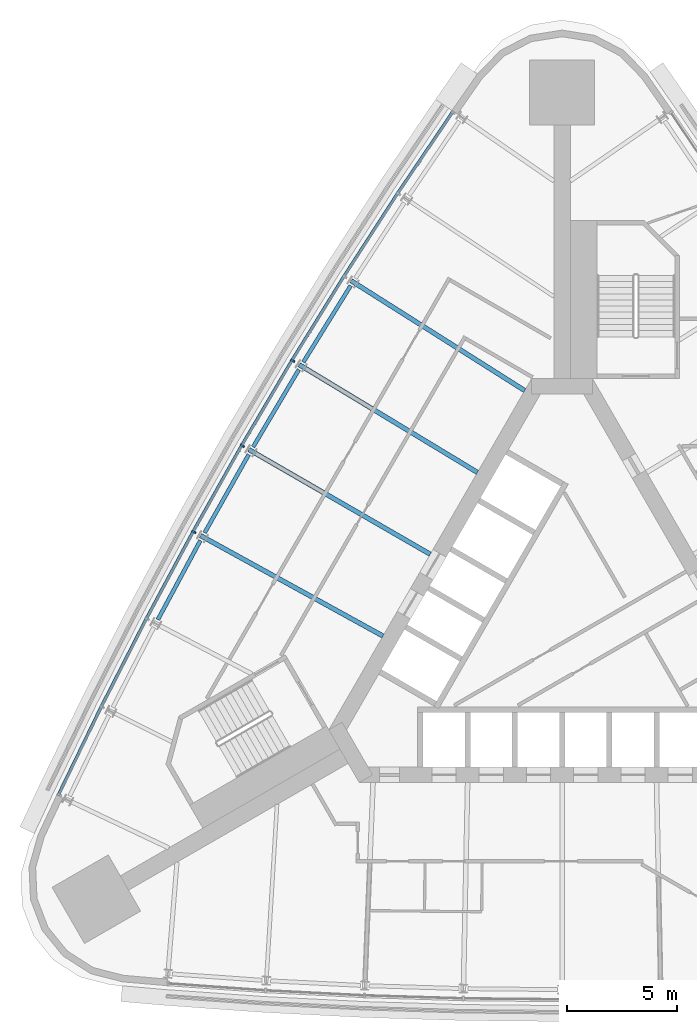
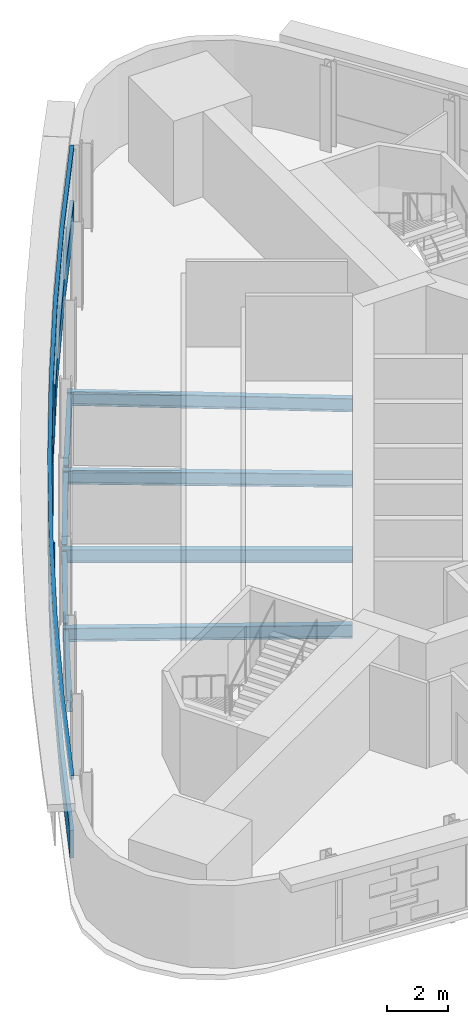
# One storey, part 3 of 11: 8 beams, 5 members, 1 element without a shape of its own.
"""IFC4 building model written with IfcOpenShell, lengths in metres."""

from ifc_helpers import new_model, si_unit, direction, frame, origin, origin_2d, place, context, subcontext, project, spatial, polyline, rectangle, i_section, outline, extrude, material, material_profile, profile_set, type_object, element, aggregate, save


model = new_model("IFC4")

# Units and contexts
model_context = context("Model", 3, precision=1e-05, world=origin(), true_north=direction((0.0, 1.0)))
body_context = subcontext(model_context, "Body", "Model", "MODEL_VIEW")
ifc_project = project(units=[si_unit("LENGTHUNIT", "METRE"), si_unit("AREAUNIT", "SQUARE_METRE"), si_unit("VOLUMEUNIT", "CUBIC_METRE"), si_unit("PLANEANGLEUNIT", "RADIAN"), si_unit("MASSUNIT", "GRAM", prefix="KILO")], contexts=[model_context])

# Site, building, storey
site_placement = place(None, origin())
site = spatial("IfcSite", under=ifc_project, at=site_placement, CompositionType="ELEMENT")
building_placement = place(site_placement, origin())
building = spatial("IfcBuilding", under=site, at=building_placement, Name="Noor Cloister Tower", CompositionType="ELEMENT")
storey_placement = place(building_placement, frame((0.0, 0.0, 116.699951171875)))
storey = spatial("IfcBuildingStorey", under=building, at=storey_placement, Name="L30", CompositionType="ELEMENT", Elevation=116.699951171875)

# Curtain wall, members
ifc_material_1 = material(Name="Aluminium 6063-T6 anodised", Category="aluminium")
curtain_wall_type = type_object("IfcCurtainWallType", Name="Ribbon curtain wall, lower tower CW1", PredefinedType="NOTDEFINED", material=ifc_material_1)
curtain_wall_placement = place(storey_placement, origin())
curtain_wall = element("IfcCurtainWall", 1, at=curtain_wall_placement, inside=storey, type_object=curtain_wall_type, Name="CW1 L30 NW run 1", PredefinedType="NOTDEFINED")
ifc_material_2 = material(Name="Aluminium 6063-T6 anodised", Category="aluminium")
member_type_1 = type_object("IfcMemberType", Name="Head transom CW1 150", PredefinedType="USERDEFINED", material=ifc_material_2)
member_1_placement = place(storey_placement, frame((0.0, 0.0, 3.150146484375)))
member_1 = element("IfcMember", 2, at=member_1_placement, type_object=member_type_1, Name="CW1 head transom", ObjectType="TRANSOM", PredefinedType="USERDEFINED", context=body_context, shape_type="SweptSolid", body=[
    extrude(outline(polyline([(-5.0126953125, 23.65576171875), (-7.533447265625, 19.92822265625), (-9.978271484375, 16.150390625), (-12.345703125, 12.323486328125), (-14.635009765625, 8.449462890625), (-16.845458984375, 4.52978515625), (-18.9755859375, 0.566162109375), (-21.025146484375, -3.43994140625), (-22.992919921875, -7.48681640625), (-22.866943359375, -7.548095703125), (-20.89990234375, -3.50244140625), (-18.851806640625, 0.501220703125), (-16.72265625, 4.46240234375), (-14.513916015625, 8.379638671875), (-12.225830078125, 12.251220703125), (-9.85986328125, 16.075439453125), (-7.416748046875, 19.85107421875), (-4.896728515625, 23.577392578125), (-5.0126953125, 23.65576171875)])), origin(), (0.0, 0.0, 1.0), 0.14990234375),
])
ifc_material_3 = material(Name="Aluminium 6063-T6 anodised", Category="aluminium")
ifc_material_profile_1 = material_profile(ifc_material_3, rectangle(XDim=0.199951171875, YDim=0.080078125, at=origin_2d()), Name="200 x 80 mullion")
ifc_profile_set_1 = profile_set([ifc_material_profile_1], Name="Aluminium 6063-T6 anodised")
member_type_2 = type_object("IfcMemberType", Name="Mullion CW1 80 x 200", PredefinedType="MULLION", material=ifc_profile_set_1)
member_2_placement = place(storey_placement, frame((-12.26025390625, 12.271728515625, 1.10009765625), z_axis=(0.0, 0.0, 1.0), x_axis=(0.855700352132, -0.517471648848, 0.0)))
member_2 = element("IfcMember", 3, at=member_2_placement, type_object=member_type_2, Name="CW1 mullion 4", PredefinedType="MULLION", context=body_context, shape_type="SweptSolid", body=[
    extrude(rectangle(XDim=0.199951171875, YDim=0.080078125, at=origin_2d()), origin(), (0.0, 0.0, 1.0), 2.050048828125),
])
member_3_placement = place(storey_placement, frame((-14.548583984375, 8.399658203125, 1.10009765625), z_axis=(0.0, 0.0, 1.0), x_axis=(0.866025403784, -0.5, 0.0)))
member_3 = element("IfcMember", 4, at=member_3_placement, type_object=member_type_2, Name="CW1 mullion 5", PredefinedType="MULLION", context=body_context, shape_type="SweptSolid", body=[
    extrude(rectangle(XDim=0.199951171875, YDim=0.080078125, at=origin_2d()), origin(), (0.0, 0.0, 1.0), 2.050048828125),
])
member_4_placement = place(storey_placement, frame((-16.7578125, 4.481689453125, 1.10009765625), z_axis=(0.0, 0.0, 1.0), x_axis=(0.875993769707, -0.482322418549, 0.0)))
member_4 = element("IfcMember", 5, at=member_4_placement, type_object=member_type_2, Name="CW1 mullion 6", PredefinedType="MULLION", context=body_context, shape_type="SweptSolid", body=[
    extrude(rectangle(XDim=0.199951171875, YDim=0.080078125, at=origin_2d()), origin(), (0.0, 0.0, 1.0), 2.050048828125),
])

# Beams
ifc_material_4 = material(Name="Steel ASTM A992 Gr 50", Category="steel")
ifc_material_profile_2 = material_profile(ifc_material_4, i_section(OverallWidth=0.208984375, OverallDepth=0.532958984375, WebThickness=0.01025390625, FlangeThickness=0.015625, FilletRadius=0.0126953125, at=origin_2d()), Name="W530x92")
ifc_profile_set_2 = profile_set([ifc_material_profile_2], Name="Steel ASTM A992 Gr 50")
beam_type_1 = type_object("IfcBeamType", Name="Radial beam W530x92", PredefinedType="BEAM", material=ifc_profile_set_2)
beam_1_placement = place(storey_placement, frame((-9.598388671875, 15.909912109375, -0.466552734375), z_axis=(0.845026810046, -0.534723938405, 0.0), x_axis=(0.534723938405, 0.845026810046, 0.0)))
element("IfcBeam", 6, at=beam_1_placement, inside=storey, type_object=beam_type_1, Name="Radial beam NW 03 L30", PredefinedType="BEAM", context=body_context, shape_type="SweptSolid", body=[
    extrude(i_section(OverallWidth=0.208984375, OverallDepth=0.532958984375, WebThickness=0.01025390625, FlangeThickness=0.015625, FilletRadius=0.0126953125, at=origin_2d()), origin(), (0.0, 0.0, 1.0), 9.346923828125),
])
beam_2_placement = place(storey_placement, frame((-11.961181640625, 12.091064453125, -0.466552734375), z_axis=(0.85570360183, -0.51746627505, 0.0), x_axis=(0.51746627505, 0.85570360183, 0.0)))
element("IfcBeam", 7, at=beam_2_placement, inside=storey, type_object=beam_type_1, Name="Radial beam NW 04 L30", PredefinedType="BEAM", context=body_context, shape_type="SweptSolid", body=[
    extrude(i_section(OverallWidth=0.208984375, OverallDepth=0.532958984375, WebThickness=0.01025390625, FlangeThickness=0.015625, FilletRadius=0.0126953125, at=origin_2d()), origin(), (0.0, 0.0, 1.0), 9.47802734375),
])
beam_3_placement = place(storey_placement, frame((-14.245849609375, 8.224853515625, -0.466552734375), z_axis=(0.866025463095, -0.499999897272, 0.0), x_axis=(0.499999897272, 0.866025463095, 0.0)))
element("IfcBeam", 8, at=beam_3_placement, inside=storey, type_object=beam_type_1, Name="Radial beam NW 05 L30", PredefinedType="BEAM", context=body_context, shape_type="SweptSolid", body=[
    extrude(i_section(OverallWidth=0.208984375, OverallDepth=0.532958984375, WebThickness=0.01025390625, FlangeThickness=0.015625, FilletRadius=0.0126953125, at=origin_2d()), origin(), (0.0, 0.0, 1.0), 9.521484375),
])
beam_4_placement = place(storey_placement, frame((-16.45166015625, 4.31298828125, -0.466552734375), z_axis=(0.875996641486, -0.482317202787, 0.0), x_axis=(0.482317202787, 0.875996641486, 0.0)))
element("IfcBeam", 9, at=beam_4_placement, inside=storey, type_object=beam_type_1, Name="Radial beam NW 06 L30", PredefinedType="BEAM", context=body_context, shape_type="SweptSolid", body=[
    extrude(i_section(OverallWidth=0.208984375, OverallDepth=0.532958984375, WebThickness=0.01025390625, FlangeThickness=0.015625, FilletRadius=0.0126953125, at=origin_2d()), origin(), (0.0, 0.0, 1.0), 9.477783203125),
])

# Member
ifc_material_5 = material(Name="Aluminium 6063-T6 anodised", Category="aluminium")
member_type_3 = type_object("IfcMemberType", Name="Sill transom CW1 1100", PredefinedType="USERDEFINED", material=ifc_material_5)
member_5_placement = place(storey_placement, origin())
member_5 = element("IfcMember", 10, at=member_5_placement, type_object=member_type_3, Name="CW1 sill transom", ObjectType="TRANSOM", PredefinedType="USERDEFINED", context=body_context, shape_type="SweptSolid", body=[
    extrude(outline(polyline([(-5.0126953125, 23.65576171875), (-7.533447265625, 19.92822265625), (-9.978271484375, 16.150390625), (-12.345703125, 12.323486328125), (-14.635009765625, 8.449462890625), (-16.845458984375, 4.52978515625), (-18.9755859375, 0.566162109375), (-21.025146484375, -3.43994140625), (-22.992919921875, -7.48681640625), (-22.866943359375, -7.548095703125), (-20.89990234375, -3.50244140625), (-18.851806640625, 0.501220703125), (-16.72265625, 4.46240234375), (-14.513916015625, 8.379638671875), (-12.225830078125, 12.251220703125), (-9.85986328125, 16.075439453125), (-7.416748046875, 19.85107421875), (-4.896728515625, 23.577392578125), (-5.0126953125, 23.65576171875)])), origin(), (0.0, 0.0, 1.0), 1.10009765625),
])

aggregate(curtain_wall, [member_2, member_3, member_4, member_5, member_1])

# Beams
ifc_material_6 = material(Name="Steel ASTM A992 Gr 50", Category="steel")
ifc_material_profile_3 = material_profile(ifc_material_6, i_section(OverallWidth=0.177978515625, OverallDepth=0.406005859375, WebThickness=0.0078125, FlangeThickness=0.0126953125, FilletRadius=0.01025390625, at=origin_2d()), Name="W410x60")
ifc_profile_set_3 = profile_set([ifc_material_profile_3], Name="Steel ASTM A992 Gr 50")
beam_type_2 = type_object("IfcBeamType", Name="Spandrel beam W410x60", PredefinedType="SPANDREL", material=ifc_profile_set_3)
for number, where, z_axis, x_axis, name in (
    (11, (-9.618896484375, 15.685791015625, -0.40283203125), (-0.526111975174, -0.850415304177, 0.0), (0.850415304177, -0.526111975174, 0.0), "Spandrel beam NW 03 L30"),
    (12, (-11.97705078125, 11.866455078125, -0.40283203125), (-0.508775589434, -0.860899180854, 0.0), (0.860899180854, -0.508775589434, 0.0), "Spandrel beam NW 04 L30"),
    (13, (-14.25732421875, 8.0, -0.40283203125), (-0.491165510925, -0.87106626664, 0.0), (0.87106626664, -0.491165510925, 0.0), "Spandrel beam NW 05 L30"),
    (14, (-16.45849609375, 4.088134765625, -0.40283203125), (-0.473415891139, -0.880839028436, 0.0), (0.880839028436, -0.473415891139, 0.0), "Spandrel beam NW 06 L30"),
):
    element("IfcBeam", number, at=place(storey_placement, frame(where, z_axis=z_axis, x_axis=x_axis)), inside=storey, type_object=beam_type_2, Name=name, PredefinedType="SPANDREL", context=body_context, shape_type="SweptSolid", body=[
        extrude(i_section(OverallWidth=0.177978515625, OverallDepth=0.406005859375, WebThickness=0.0078125, FlangeThickness=0.0126953125, FilletRadius=0.01025390625, at=origin_2d()), origin(), (0.0, 0.0, 1.0), 4.087890625),
    ])

save(model, "model.ifc")
